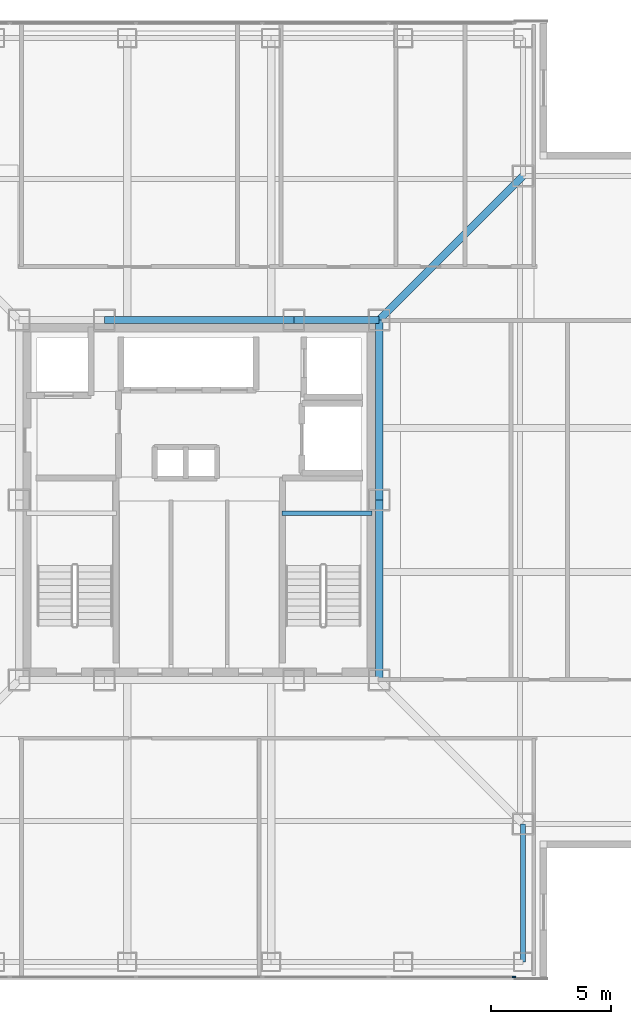
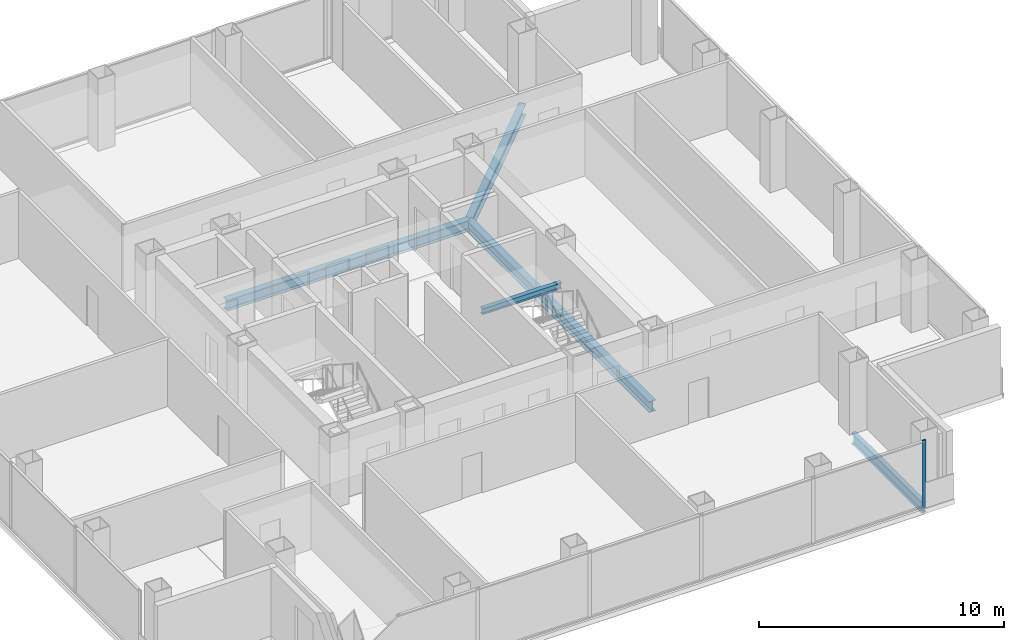
# One storey, part 5 of 18: 7 beams, 1 member, 1 element without a shape of its own.
"""IFC4 building model written with IfcOpenShell, lengths in metres."""

from ifc_helpers import new_model, si_unit, direction, frame, origin, origin_2d, place, context, subcontext, project, spatial, rectangle, i_section, extrude, material, layer, layer_set, material_profile, profile_set, type_object, element, aggregate, save


model = new_model("IFC4")

# Units and contexts
model_context = context("Model", 3, precision=1e-05, world=origin(), true_north=direction((0.0, 1.0)))
body_context = subcontext(model_context, "Body", "Model", "MODEL_VIEW")
ifc_project = project(units=[si_unit("LENGTHUNIT", "METRE"), si_unit("AREAUNIT", "SQUARE_METRE"), si_unit("VOLUMEUNIT", "CUBIC_METRE"), si_unit("PLANEANGLEUNIT", "RADIAN"), si_unit("MASSUNIT", "GRAM", prefix="KILO")], contexts=[model_context])

# Site, building, storey
site_placement = place(None, origin())
site = spatial("IfcSite", under=ifc_project, at=site_placement, CompositionType="ELEMENT")
building_placement = place(site_placement, origin())
building = spatial("IfcBuilding", under=site, at=building_placement, Name="Trevonay Congress Spire", CompositionType="ELEMENT")
storey_placement = place(building_placement, frame((0.0, 0.0, 220.199951171875)))
storey = spatial("IfcBuildingStorey", under=building, at=storey_placement, Name="L57", CompositionType="ELEMENT", Elevation=220.199951171875)

# Beams
ifc_material_1 = material(Name="Steel ASTM A572 Grade 50", Category="steel")
ifc_material_profile_1 = material_profile(ifc_material_1, i_section(OverallWidth=0.31201171875, OverallDepth=0.54296875, WebThickness=0.0126953125, FlangeThickness=0.020263671875, FilletRadius=0.014892578125, at=origin_2d()), Name="W530x150")
ifc_profile_set_1 = profile_set([ifc_material_profile_1], Name="Steel ASTM A572 Grade 50")
beam_type_1 = type_object("IfcBeamType", Name="BM-GIRD-W530X150", PredefinedType="BEAM", material=ifc_profile_set_1)
beam_1_placement = place(storey_placement, frame((-3.949951171875, 7.5, -0.511474609375), z_axis=(1.0, 0.0, 0.0), x_axis=(0.0, 1.0, 0.0)))
element("IfcBeam", 1, at=beam_1_placement, inside=storey, type_object=beam_type_1, Name="L57 structural beam BM-L57-CR-N2", PredefinedType="BEAM", context=body_context, shape_type="SweptSolid", body=[
    extrude(i_section(OverallWidth=0.31201171875, OverallDepth=0.54296875, WebThickness=0.0126953125, FlangeThickness=0.020263671875, FilletRadius=0.014892578125, at=origin_2d()), origin(), (0.0, 0.0, 1.0), 7.89990234375),
])
beam_2_placement = place(storey_placement, frame((3.949951171875, 7.5, -0.511474609375), z_axis=(1.0, 0.0, 0.0), x_axis=(0.0, 1.0, 0.0)))
element("IfcBeam", 2, at=beam_2_placement, inside=storey, type_object=beam_type_1, Name="L57 structural beam BM-L57-CR-N3", PredefinedType="BEAM", context=body_context, shape_type="SweptSolid", body=[
    extrude(i_section(OverallWidth=0.31201171875, OverallDepth=0.54296875, WebThickness=0.0126953125, FlangeThickness=0.020263671875, FilletRadius=0.014892578125, at=origin_2d()), origin(), (0.0, 0.0, 1.0), 3.550048828125),
])
for number, where, z_axis, x_axis, name in (
    (3, (7.5, -7.5, -0.511474609375), (0.0, 1.0, 0.0), (-1.0, 0.0, 0.0), "L57 structural beam BM-L57-CR-E1"),
    (4, (7.5, 0.0, -0.511474609375), (0.0, 1.0, 0.0), (-1.0, 0.0, 0.0), "L57 structural beam BM-L57-CR-E2"),
):
    element("IfcBeam", number, at=place(storey_placement, frame(where, z_axis=z_axis, x_axis=x_axis)), inside=storey, type_object=beam_type_1, Name=name, PredefinedType="BEAM", context=body_context, shape_type="SweptSolid", body=[
        extrude(i_section(OverallWidth=0.31201171875, OverallDepth=0.54296875, WebThickness=0.0126953125, FlangeThickness=0.020263671875, FilletRadius=0.014892578125, at=origin_2d()), origin(), (0.0, 0.0, 1.0), 7.5),
    ])
beam_3_placement = place(storey_placement, frame((7.5, 7.5, -0.511474609375), z_axis=(0.707106781187, 0.707106781187, 0.0), x_axis=(-0.707106781187, 0.707106781187, 0.0)))
element("IfcBeam", 5, at=beam_3_placement, inside=storey, type_object=beam_type_1, Name="L57 structural beam BM-L57-CDNE", PredefinedType="BEAM", context=body_context, shape_type="SweptSolid", body=[
    extrude(i_section(OverallWidth=0.31201171875, OverallDepth=0.54296875, WebThickness=0.0126953125, FlangeThickness=0.020263671875, FilletRadius=0.014892578125, at=origin_2d()), origin(), (0.0, 0.0, 1.0), 8.4853515625),
])
ifc_material_profile_2 = material_profile(ifc_material_1, i_section(OverallWidth=0.2119140625, OverallDepth=0.5439453125, WebThickness=0.01318359375, FlangeThickness=0.021240234375, FilletRadius=0.014892578125, at=origin_2d()), Name="W530x123")
ifc_profile_set_2 = profile_set([ifc_material_profile_2], Name="Steel ASTM A572 Grade 50")
beam_type_2 = type_object("IfcBeamType", Name="BM-RING-W530X123", PredefinedType="BEAM", material=ifc_profile_set_2)
beam_4_placement = place(storey_placement, frame((13.5, -19.25, -0.511962890625), z_axis=(0.0, 1.0, 0.0), x_axis=(-1.0, 0.0, 0.0)))
element("IfcBeam", 6, at=beam_4_placement, inside=storey, type_object=beam_type_2, Name="L57 structural beam BM-L57-N1SE", PredefinedType="BEAM", context=body_context, shape_type="SweptSolid", body=[
    extrude(i_section(OverallWidth=0.2119140625, OverallDepth=0.5439453125, WebThickness=0.01318359375, FlangeThickness=0.021240234375, FilletRadius=0.014892578125, at=origin_2d()), origin(), (0.0, 0.0, 1.0), 5.75),
])

# Curtain wall, member
ifc_material_2 = material(Name="Pale Anodised Aluminium EN AW-6063-T6", Category="aluminium")
ifc_layer = layer(ifc_material_2, 0.169921875, Name="Pale Anodised Aluminium EN AW-6063-T6")
ifc_layer_set = layer_set([ifc_layer], Name="Pale Anodised Aluminium EN AW-6063-T6")
curtain_wall_type = type_object("IfcCurtainWallType", Name="CW-SYS04-CORP-PALE-METAL", PredefinedType="NOTDEFINED", material=ifc_layer_set)
curtain_wall_placement = place(storey_placement, origin())
curtain_wall = element("IfcCurtainWall", 7, at=curtain_wall_placement, inside=storey, type_object=curtain_wall_type, Name="L57 S unitised curtain wall", PredefinedType="NOTDEFINED")
ifc_material_profile_3 = material_profile(ifc_material_2, rectangle(XDim=0.06005859375, YDim=0.159912109375, at=origin_2d()), Name="CW-MULLION-160-ALUMINIUM")
ifc_profile_set_3 = profile_set([ifc_material_profile_3], Name="Pale Anodised Aluminium EN AW-6063-T6")
member_type = type_object("IfcMemberType", Name="CW-MULLION-160-ALUMINIUM", PredefinedType="MULLION", material=ifc_profile_set_3)
member_placement = place(storey_placement, frame((13.1201171875, -19.8798828125, 0.0), z_axis=(0.0, 0.0, 1.0), x_axis=(0.0, 1.0, 0.0)))
member = element("IfcMember", 8, at=member_placement, type_object=member_type, Name="CW04 mullion 6", PredefinedType="MULLION", context=body_context, shape_type="SweptSolid", body=[
    extrude(rectangle(XDim=0.06005859375, YDim=0.159912109375, at=origin_2d()), origin(), (0.0, 0.0, 1.0), 3.360107421875),
])
aggregate(curtain_wall, [member])

# Beam
ifc_material_profile_4 = material_profile(ifc_material_1, i_section(OverallWidth=0.2041015625, OverallDepth=0.305908203125, WebThickness=0.008544921875, FlangeThickness=0.0146484375, FilletRadius=0.010986328125, at=origin_2d()), Name="W310x67")
ifc_profile_set_4 = profile_set([ifc_material_profile_4], Name="Steel ASTM A572 Grade 50")
beam_type_3 = type_object("IfcBeamType", Name="LN-CORE-W310X67", PredefinedType="LINTEL", material=ifc_profile_set_4)
beam_5_placement = place(storey_placement, frame((3.449951171875, -0.550048828125, 1.447021484375), z_axis=(1.0, 0.0, 0.0), x_axis=(0.0, 1.0, 0.0)))
element("IfcBeam", 9, at=beam_5_placement, inside=storey, type_object=beam_type_3, Name="L57 structural beam BM-L57-HL-ST2", PredefinedType="LINTEL", context=body_context, shape_type="SweptSolid", body=[
    extrude(i_section(OverallWidth=0.2041015625, OverallDepth=0.305908203125, WebThickness=0.008544921875, FlangeThickness=0.0146484375, FilletRadius=0.010986328125, at=origin_2d()), origin(), (0.0, 0.0, 1.0), 3.75),
])

save(model, "model.ifc")
